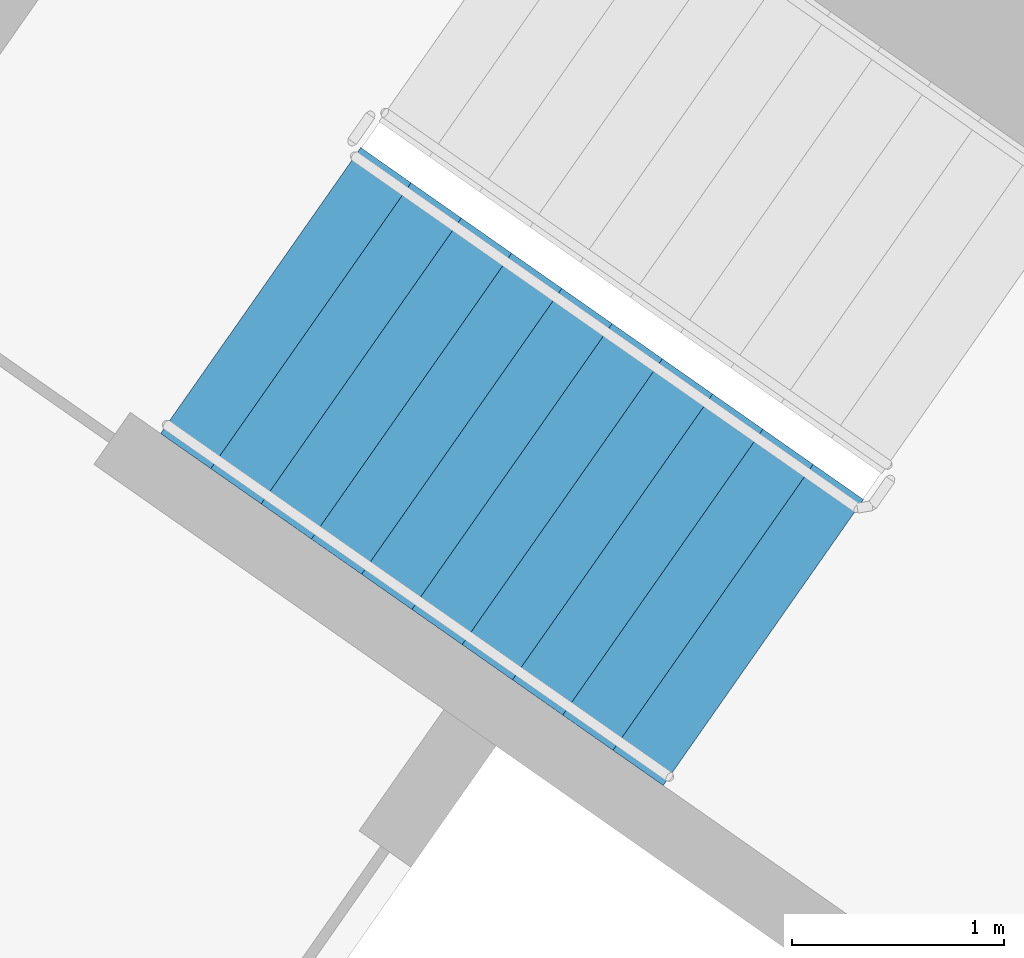
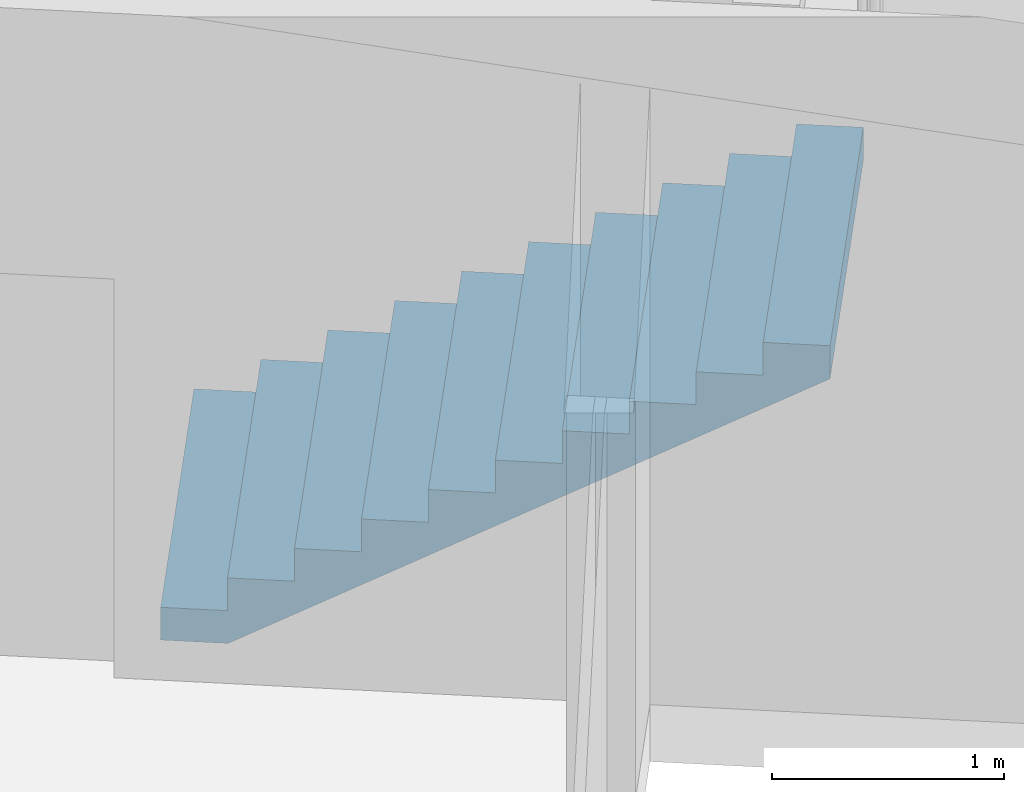
# One storey, part 11 of 26: 1 stair flight, 1 element without a shape of its own.
"""IFC4 building model written with IfcOpenShell, lengths in metres."""

import ifcopenshell
import ifcopenshell.guid

model = None  # the IFC model being written
_history = None  # IfcOwnerHistory: only IFC2X3 demands one
_inside = {}  # id of a spatial element -> (the spatial element, [elements in it])
_under = {}  # id of a project, library or spatial element -> (it, [spatial elements below it])
_declared = {}  # id of a project -> (the project, [libraries it declares])
_typed = {}  # id of a type object -> (the type object, [elements of that type])
_made_of = {}  # id of a material, layer set ... -> (it, [elements and type objects made of it])


def new_model(schema):
    """Start an empty IFC model of exactly this schema.

    Asked for "IFC4X3", IfcOpenShell would pick the latest addendum, in which some entities
    have other attributes; the version numbers below select the first issue.
    IFC2X3 requires an IfcOwnerHistory on every rooted entity: one is made here for all.
    """
    global model, _history
    if schema == "IFC4X3":
        model = ifcopenshell.file(schema_version=(4, 3, 0, 0))
    else:
        model = ifcopenshell.file(schema=schema)
    _inside.clear()
    _under.clear()
    _declared.clear()
    _typed.clear()
    _made_of.clear()
    _history = None
    if model.schema == "IFC2X3":
        org = make("IfcOrganization", Name="unknown")
        user = make(
            "IfcPersonAndOrganization",
            ThePerson=make("IfcPerson", FamilyName="unknown"),
            TheOrganization=org,
        )
        app = make(
            "IfcApplication",
            ApplicationDeveloper=org,
            Version="unknown",
            ApplicationFullName="unknown",
            ApplicationIdentifier="unknown",
        )
        _history = make(
            "IfcOwnerHistory",
            OwningUser=user,
            OwningApplication=app,
            ChangeAction="ADDED",
            CreationDate=0,
        )
    return model


def make(cls, **values):
    """One entity of the class cls with the attributes given. An attribute that is None is left unset."""
    return model.create_entity(
        cls, **{name: value for name, value in values.items() if value is not None}
    )


def rooted(cls, **values):
    """An entity with a GlobalId (a new one), such as an element, a storey or a relation."""
    return make(cls, GlobalId=ifcopenshell.guid.new(), OwnerHistory=_history, **values)


def si_unit(unit_type, name, prefix=None):
    """IfcSIUnit, for example si_unit("LENGTHUNIT", "METRE", prefix="MILLI")."""
    return make("IfcSIUnit", UnitType=unit_type, Prefix=prefix, Name=name)


def assignment(units):
    """IfcUnitAssignment: the units of a project."""
    return None if units is None else make("IfcUnitAssignment", Units=units)


def point(xyz):
    """IfcCartesianPoint."""
    return None if xyz is None else make("IfcCartesianPoint", Coordinates=xyz)


def direction(xyz):
    """IfcDirection."""
    return None if xyz is None else make("IfcDirection", DirectionRatios=xyz)


def frame(location, z_axis=None, x_axis=None):
    """IfcAxis2Placement3D, a coordinate frame: its origin and axes. An axis left out is left unset."""
    return make(
        "IfcAxis2Placement3D",
        Location=point(location),
        Axis=direction(z_axis),
        RefDirection=direction(x_axis),
    )


def origin():
    """The frame at (0, 0, 0) with its axes left unset."""
    return frame((0.0, 0.0, 0.0))


def place(relative_to, where):
    """IfcLocalPlacement: puts the frame where relative to a parent placement (None: the world)."""
    return make(
        "IfcLocalPlacement", PlacementRelTo=relative_to, RelativePlacement=where
    )


def context(
    kind, dimensions, precision=None, world=None, true_north=None, identifier=None
):
    """IfcGeometricRepresentationContext, for example the 3D "Model" context."""
    return make(
        "IfcGeometricRepresentationContext",
        ContextIdentifier=identifier,
        ContextType=kind,
        CoordinateSpaceDimension=dimensions,
        Precision=precision,
        WorldCoordinateSystem=world,
        TrueNorth=true_north,
    )


def subcontext(parent, identifier, kind, view, scale=None):
    """IfcGeometricRepresentationSubContext, for example "Body" below "Model"."""
    return make(
        "IfcGeometricRepresentationSubContext",
        ContextIdentifier=identifier,
        ContextType=kind,
        ParentContext=parent,
        TargetScale=scale,
        TargetView=view,
    )


def project(units=None, contexts=None):
    """IfcProject with its units and contexts."""
    return rooted(
        "IfcProject",
        Name="project",
        RepresentationContexts=contexts,
        UnitsInContext=assignment(units),
    )


def spatial(cls, under=None, at=None, **own):
    """A site, building, storey or space (cls), placed at a placement, below another one or the project."""
    s = rooted(cls, ObjectPlacement=at, **own)
    if under is not None:
        _under.setdefault(under.id(), (under, []))[1].append(s)
    return s


def faces_of(points, faces, orient=None, outer=None):
    """IfcFace entities. A face is a list of loops; a loop is a list of indices into points, from 0.

    orient and outer hold one flag for each loop. By default every Orientation is true, the
    first loop of a face is its IfcFaceOuterBound and the others are IfcFaceBound.
    """
    made = []
    for i, loops in enumerate(faces):
        bounds = []
        for j, loop in enumerate(loops):
            is_outer = j == 0 if outer is None else outer[i][j]
            bounds.append(
                make(
                    "IfcFaceOuterBound" if is_outer else "IfcFaceBound",
                    Bound=make("IfcPolyLoop", Polygon=[points[k] for k in loop]),
                    Orientation=True if orient is None else orient[i][j],
                )
            )
        made.append(make("IfcFace", Bounds=bounds))
    return made


def faceted_brep(points, faces, orient=None, outer=None, voids=None):
    """IfcFacetedBrep: a solid bounded by flat faces; with voids (closed shells), ...WithVoids."""
    shared = [point(p) for p in points]
    hull = make("IfcClosedShell", CfsFaces=faces_of(shared, faces, orient, outer))
    if voids is None:
        return make("IfcFacetedBrep", Outer=hull)
    return make(
        "IfcFacetedBrepWithVoids",
        Outer=hull,
        Voids=[
            make(cls, CfsFaces=faces_of(shared, fs, o, b)) for cls, fs, o, b in voids
        ],
    )


def shape(context_of_items, identifier, shape_type, items):
    """IfcShapeRepresentation: the items that make up one representation, for example the "Body"."""
    return make(
        "IfcShapeRepresentation",
        ContextOfItems=context_of_items,
        RepresentationIdentifier=identifier,
        RepresentationType=shape_type,
        Items=items,
    )


def material(Name=None, Category=None):
    """IfcMaterial."""
    return make("IfcMaterial", Name=Name, Category=Category)


def made_of(thing, what):
    """Note that an element or type object is made of a material, layer set ...; save() writes the relation."""
    if what is not None:
        _made_of.setdefault(what.id(), (what, []))[1].append(thing)
    return thing


def type_object(cls, material=None, **own):
    """A type object (cls), such as IfcWallType, which elements share."""
    return made_of(rooted(cls, **own), material)


def element(
    cls,
    number,
    at=None,
    inside=None,
    cuts=None,
    type_object=None,
    material=None,
    context=None,
    identifier="Body",
    shape_type=None,
    held_by="IfcProductDefinitionShape",
    body=None,
    shapes=None,
    **own,
):
    """One element of the class cls, such as IfcWall. Its Tag is "e" and its number.

    at: its placement. inside: the storey or other place that contains it. cuts: it is an
    opening in that element (IfcRelVoidsElement). A single representation is given by context,
    identifier, shape_type and body (its items); several are given by shapes. held_by: the class
    of the entity that holds the representations. save() writes the other relations.
    """
    e = rooted(cls, Tag="e%d" % number, ObjectPlacement=at, **own)
    if body is not None:
        shapes = [shape(context, identifier, shape_type, body)]
    if shapes is not None:
        e.Representation = make(held_by, Representations=shapes)
    if inside is not None:
        _inside.setdefault(inside.id(), (inside, []))[1].append(e)
    if cuts is not None:
        rooted(
            "IfcRelVoidsElement", RelatingBuildingElement=cuts, RelatedOpeningElement=e
        )
    if type_object is not None:
        _typed.setdefault(type_object.id(), (type_object, []))[1].append(e)
    return made_of(e, material)


def aggregate(whole, parts):
    """IfcRelAggregates: a whole, such as a stair, and the parts it consists of."""
    return rooted("IfcRelAggregates", RelatingObject=whole, RelatedObjects=parts)


def save(model, path):
    """Write the relations noted so far, then the file.

    IfcRelAggregates (storeys below a building ...), IfcRelContainedInSpatialStructure (elements
    in a storey), IfcRelDefinesByType, IfcRelAssociatesMaterial and IfcRelDeclares: one each for
    every whole, place, type object, material and project.
    """
    for whole, parts in _under.values():
        aggregate(whole, parts)
    for where, things in _inside.values():
        rooted(
            "IfcRelContainedInSpatialStructure",
            RelatedElements=things,
            RelatingStructure=where,
        )
    for kind, things in _typed.values():
        rooted("IfcRelDefinesByType", RelatedObjects=things, RelatingType=kind)
    for what, things in _made_of.values():
        rooted("IfcRelAssociatesMaterial", RelatedObjects=things, RelatingMaterial=what)
    for by, libraries in _declared.values():
        rooted("IfcRelDeclares", RelatingContext=by, RelatedDefinitions=libraries)
    model.write(path)


model = new_model("IFC4")

# Units and contexts
model_context = context("Model", 3, precision=1e-05, world=origin(), true_north=direction((0.0, 1.0)))
body_context = subcontext(model_context, "Body", "Model", "MODEL_VIEW")
ifc_project = project(units=[si_unit("LENGTHUNIT", "METRE"), si_unit("AREAUNIT", "SQUARE_METRE"), si_unit("VOLUMEUNIT", "CUBIC_METRE"), si_unit("PLANEANGLEUNIT", "RADIAN"), si_unit("MASSUNIT", "GRAM", prefix="KILO")], contexts=[model_context])

# Site, building, storey
site_placement = place(None, origin())
site = spatial("IfcSite", under=ifc_project, at=site_placement, CompositionType="ELEMENT")
building_placement = place(site_placement, origin())
building = spatial("IfcBuilding", under=site, at=building_placement, Name="Qamariyya Broadcast Tower", CompositionType="ELEMENT")
storey_placement = place(building_placement, frame((0.0, 0.0, 156.89990234375)))
storey = spatial("IfcBuildingStorey", under=building, at=storey_placement, Name="L36", CompositionType="ELEMENT", Elevation=156.89990234375)

# Stair, stair flight
ifc_material = material(Name="Concrete C50/60", Category="concrete")
stair_type = type_object("IfcStairType", Name="Exit stair 22 risers of 173 mm", PredefinedType="HALF_TURN_STAIR", material=ifc_material)
stair_placement = place(storey_placement, origin())
stair = element("IfcStair", 1, at=stair_placement, inside=storey, type_object=stair_type, Name="L36 Stair W2", PredefinedType="HALF_TURN_STAIR")
stair_flight_type = type_object("IfcStairFlightType", Name="Exit stair flight 11 risers of 173 mm", PredefinedType="STRAIGHT", material=ifc_material)
stair_flight_placement = place(storey_placement, frame((-41.59130859375, -49.15966796875, 0.0), z_axis=(0.0, 0.0, 1.0), x_axis=(0.819152044289, -0.573576436351, 0.0)))
stair_flight = element("IfcStairFlight", 2, at=stair_flight_placement, type_object=stair_flight_type, Name="ST-W2 flight 1", NumberOfRisers=11, NumberOfTreads=10, PredefinedType="STRAIGHT", RiserHeight=0.172727273, TreadLength=0.29, context=body_context, shape_type="Brep", body=[
    faceted_brep([(0.0, 0.824951171875, 0.0), (0.0, 0.824951171875, 0.172607421875), (0.2900390625, 0.824951171875, 0.172607421875), (0.2900390625, 0.824951171875, 0.345458984375), (0.580078125, 0.824951171875, 0.345458984375), (0.580078125, 0.824951171875, 0.51806640625), (0.8701171875, 0.824951171875, 0.51806640625), (0.8701171875, 0.824951171875, 0.69091796875), (1.159912109375, 0.824951171875, 0.69091796875), (1.159912109375, 0.824951171875, 0.863525390625), (1.449951171875, 0.824951171875, 0.863525390625), (1.449951171875, 0.824951171875, 1.036376953125), (1.739990234375, 0.824951171875, 1.036376953125), (1.739990234375, 0.824951171875, 1.208984375), (2.030029296875, 0.824951171875, 1.208984375), (2.030029296875, 0.824951171875, 1.3818359375), (2.320068359375, 0.824951171875, 1.3818359375), (2.320068359375, 0.824951171875, 1.554443359375), (2.610107421875, 0.824951171875, 1.554443359375), (2.610107421875, 0.824951171875, 1.727294921875), (2.89990234375, 0.824951171875, 1.727294921875), (2.89990234375, 0.824951171875, 1.552734375), (0.29296875, 0.824951171875, 0.0), (0.29296875, -0.824951171875, 0.0), (2.89990234375, -0.824951171875, 1.552734375), (2.89990234375, -0.824951171875, 1.727294921875), (2.610107421875, -0.824951171875, 1.727294921875), (2.610107421875, -0.824951171875, 1.554443359375), (2.320068359375, -0.824951171875, 1.554443359375), (2.320068359375, -0.824951171875, 1.3818359375), (2.030029296875, -0.824951171875, 1.3818359375), (2.030029296875, -0.824951171875, 1.208984375), (1.739990234375, -0.824951171875, 1.208984375), (1.739990234375, -0.824951171875, 1.036376953125), (1.449951171875, -0.824951171875, 1.036376953125), (1.449951171875, -0.824951171875, 0.863525390625), (1.159912109375, -0.824951171875, 0.863525390625), (1.159912109375, -0.824951171875, 0.69091796875), (0.8701171875, -0.824951171875, 0.69091796875), (0.8701171875, -0.824951171875, 0.51806640625), (0.580078125, -0.824951171875, 0.51806640625), (0.580078125, -0.824951171875, 0.345458984375), (0.2900390625, -0.824951171875, 0.345458984375), (0.2900390625, -0.824951171875, 0.172607421875), (0.0, -0.824951171875, 0.172607421875), (0.0, -0.824951171875, 0.0), (0.0, 0.10009765625, 0.0), (0.0, 0.086669921875, 0.0), (0.0, 0.0732421875, 0.0), (0.0, 0.06005859375, 0.0), (0.0, 0.046630859375, 0.0), (0.0, 0.033447265625, 0.0), (0.0, 0.02001953125, 0.0), (0.0, 0.006591796875, 0.0), (0.0, -0.006591796875, 0.0), (0.0, -0.02001953125, 0.0), (0.0, -0.033447265625, 0.0), (0.0, -0.046630859375, 0.0), (0.0, -0.06005859375, 0.0), (0.0, -0.0732421875, 0.0), (0.0, -0.086669921875, 0.0), (0.0, -0.10009765625, 0.0), (0.0, -0.10009765625, 0.172607421875), (0.0, -0.086669921875, 0.172607421875), (0.0, -0.0732421875, 0.172607421875), (0.0, -0.06005859375, 0.172607421875), (0.0, -0.046630859375, 0.172607421875), (0.0, -0.033447265625, 0.172607421875), (0.0, -0.02001953125, 0.172607421875), (0.0, -0.006591796875, 0.172607421875), (0.0, 0.006591796875, 0.172607421875), (0.0, 0.02001953125, 0.172607421875), (0.0, 0.033447265625, 0.172607421875), (0.0, 0.046630859375, 0.172607421875), (0.0, 0.06005859375, 0.172607421875), (0.0, 0.0732421875, 0.172607421875), (0.0, 0.086669921875, 0.172607421875), (0.0, 0.10009765625, 0.172607421875), (0.2900390625, -0.10009765625, 0.172607421875), (0.2900390625, -0.086669921875, 0.172607421875), (0.2900390625, -0.0732421875, 0.172607421875), (0.2900390625, -0.06005859375, 0.172607421875), (0.2900390625, -0.046630859375, 0.172607421875), (0.2900390625, -0.033447265625, 0.172607421875), (0.2900390625, -0.02001953125, 0.172607421875), (0.2900390625, -0.006591796875, 0.172607421875), (0.2900390625, 0.006591796875, 0.172607421875), (0.2900390625, 0.02001953125, 0.172607421875), (0.2900390625, 0.033447265625, 0.172607421875), (0.2900390625, 0.046630859375, 0.172607421875), (0.2900390625, 0.06005859375, 0.172607421875), (0.2900390625, 0.0732421875, 0.172607421875), (0.2900390625, 0.086669921875, 0.172607421875), (0.2900390625, 0.10009765625, 0.172607421875), (0.2900390625, -0.10009765625, 0.345458984375), (0.2900390625, -0.086669921875, 0.345458984375), (0.2900390625, -0.0732421875, 0.345458984375), (0.2900390625, -0.06005859375, 0.345458984375), (0.2900390625, -0.046630859375, 0.345458984375), (0.2900390625, -0.033447265625, 0.345458984375), (0.2900390625, -0.02001953125, 0.345458984375), (0.2900390625, -0.006591796875, 0.345458984375), (0.2900390625, 0.006591796875, 0.345458984375), (0.2900390625, 0.02001953125, 0.345458984375), (0.2900390625, 0.033447265625, 0.345458984375), (0.2900390625, 0.046630859375, 0.345458984375), (0.2900390625, 0.06005859375, 0.345458984375), (0.2900390625, 0.0732421875, 0.345458984375), (0.2900390625, 0.086669921875, 0.345458984375), (0.2900390625, 0.10009765625, 0.345458984375), (0.580078125, -0.10009765625, 0.345458984375), (0.580078125, -0.086669921875, 0.345458984375), (0.580078125, -0.0732421875, 0.345458984375), (0.580078125, -0.06005859375, 0.345458984375), (0.580078125, -0.046630859375, 0.345458984375), (0.580078125, -0.033447265625, 0.345458984375), (0.580078125, -0.02001953125, 0.345458984375), (0.580078125, -0.006591796875, 0.345458984375), (0.580078125, 0.006591796875, 0.345458984375), (0.580078125, 0.02001953125, 0.345458984375), (0.580078125, 0.033447265625, 0.345458984375), (0.580078125, 0.046630859375, 0.345458984375), (0.580078125, 0.06005859375, 0.345458984375), (0.580078125, 0.0732421875, 0.345458984375), (0.580078125, 0.086669921875, 0.345458984375), (0.580078125, 0.10009765625, 0.345458984375), (0.580078125, -0.10009765625, 0.51806640625), (0.580078125, -0.086669921875, 0.51806640625), (0.580078125, -0.0732421875, 0.51806640625), (0.580078125, -0.06005859375, 0.51806640625), (0.580078125, -0.046630859375, 0.51806640625), (0.580078125, -0.033447265625, 0.51806640625), (0.580078125, -0.02001953125, 0.51806640625), (0.580078125, -0.006591796875, 0.51806640625), (0.580078125, 0.006591796875, 0.51806640625), (0.580078125, 0.02001953125, 0.51806640625), (0.580078125, 0.033447265625, 0.51806640625), (0.580078125, 0.046630859375, 0.51806640625), (0.580078125, 0.06005859375, 0.51806640625), (0.580078125, 0.0732421875, 0.51806640625), (0.580078125, 0.086669921875, 0.51806640625), (0.580078125, 0.10009765625, 0.51806640625), (0.8701171875, -0.10009765625, 0.51806640625), (0.8701171875, -0.086669921875, 0.51806640625), (0.8701171875, -0.0732421875, 0.51806640625), (0.8701171875, -0.06005859375, 0.51806640625), (0.8701171875, -0.046630859375, 0.51806640625), (0.8701171875, -0.033447265625, 0.51806640625), (0.8701171875, -0.02001953125, 0.51806640625), (0.8701171875, -0.006591796875, 0.51806640625), (0.8701171875, 0.006591796875, 0.51806640625), (0.8701171875, 0.02001953125, 0.51806640625), (0.8701171875, 0.033447265625, 0.51806640625), (0.8701171875, 0.046630859375, 0.51806640625), (0.8701171875, 0.06005859375, 0.51806640625), (0.8701171875, 0.0732421875, 0.51806640625), (0.8701171875, 0.086669921875, 0.51806640625), (0.8701171875, 0.10009765625, 0.51806640625), (0.8701171875, -0.10009765625, 0.69091796875), (0.8701171875, -0.086669921875, 0.69091796875), (0.8701171875, -0.0732421875, 0.69091796875), (0.8701171875, -0.06005859375, 0.69091796875), (0.8701171875, -0.046630859375, 0.69091796875), (0.8701171875, -0.033447265625, 0.69091796875), (0.8701171875, -0.02001953125, 0.69091796875), (0.8701171875, -0.006591796875, 0.69091796875), (0.8701171875, 0.006591796875, 0.69091796875), (0.8701171875, 0.02001953125, 0.69091796875), (0.8701171875, 0.033447265625, 0.69091796875), (0.8701171875, 0.046630859375, 0.69091796875), (0.8701171875, 0.06005859375, 0.69091796875), (0.8701171875, 0.0732421875, 0.69091796875), (0.8701171875, 0.086669921875, 0.69091796875), (0.8701171875, 0.10009765625, 0.69091796875), (1.159912109375, -0.10009765625, 0.69091796875), (1.159912109375, -0.086669921875, 0.69091796875), (1.159912109375, -0.0732421875, 0.69091796875), (1.159912109375, -0.06005859375, 0.69091796875), (1.159912109375, -0.046630859375, 0.69091796875), (1.159912109375, -0.033447265625, 0.69091796875), (1.159912109375, -0.02001953125, 0.69091796875), (1.159912109375, -0.006591796875, 0.69091796875), (1.159912109375, 0.006591796875, 0.69091796875), (1.159912109375, 0.02001953125, 0.69091796875), (1.159912109375, 0.033447265625, 0.69091796875), (1.159912109375, 0.046630859375, 0.69091796875), (1.159912109375, 0.06005859375, 0.69091796875), (1.159912109375, 0.0732421875, 0.69091796875), (1.159912109375, 0.086669921875, 0.69091796875), (1.159912109375, 0.10009765625, 0.69091796875), (1.159912109375, -0.10009765625, 0.863525390625), (1.159912109375, -0.086669921875, 0.863525390625), (1.159912109375, -0.0732421875, 0.863525390625), (1.159912109375, -0.06005859375, 0.863525390625), (1.159912109375, -0.046630859375, 0.863525390625), (1.159912109375, -0.033447265625, 0.863525390625), (1.159912109375, -0.02001953125, 0.863525390625), (1.159912109375, -0.006591796875, 0.863525390625), (1.159912109375, 0.006591796875, 0.863525390625), (1.159912109375, 0.02001953125, 0.863525390625), (1.159912109375, 0.033447265625, 0.863525390625), (1.159912109375, 0.046630859375, 0.863525390625), (1.159912109375, 0.06005859375, 0.863525390625), (1.159912109375, 0.0732421875, 0.863525390625), (1.159912109375, 0.086669921875, 0.863525390625), (1.159912109375, 0.10009765625, 0.863525390625), (1.449951171875, -0.10009765625, 0.863525390625), (1.449951171875, -0.086669921875, 0.863525390625), (1.449951171875, -0.0732421875, 0.863525390625), (1.449951171875, -0.06005859375, 0.863525390625), (1.449951171875, -0.046630859375, 0.863525390625), (1.449951171875, -0.033447265625, 0.863525390625), (1.449951171875, -0.02001953125, 0.863525390625), (1.449951171875, -0.006591796875, 0.863525390625), (1.449951171875, 0.006591796875, 0.863525390625), (1.449951171875, 0.02001953125, 0.863525390625), (1.449951171875, 0.033447265625, 0.863525390625), (1.449951171875, 0.046630859375, 0.863525390625), (1.449951171875, 0.06005859375, 0.863525390625), (1.449951171875, 0.0732421875, 0.863525390625), (1.449951171875, 0.086669921875, 0.863525390625), (1.449951171875, 0.10009765625, 0.863525390625), (1.449951171875, -0.10009765625, 1.036376953125), (1.449951171875, -0.086669921875, 1.036376953125), (1.449951171875, -0.0732421875, 1.036376953125), (1.449951171875, -0.06005859375, 1.036376953125), (1.449951171875, -0.046630859375, 1.036376953125), (1.449951171875, -0.033447265625, 1.036376953125), (1.449951171875, -0.02001953125, 1.036376953125), (1.449951171875, -0.006591796875, 1.036376953125), (1.449951171875, 0.006591796875, 1.036376953125), (1.449951171875, 0.02001953125, 1.036376953125), (1.449951171875, 0.033447265625, 1.036376953125), (1.449951171875, 0.046630859375, 1.036376953125), (1.449951171875, 0.06005859375, 1.036376953125), (1.449951171875, 0.0732421875, 1.036376953125), (1.449951171875, 0.086669921875, 1.036376953125), (1.449951171875, 0.10009765625, 1.036376953125), (1.739990234375, -0.10009765625, 1.036376953125), (1.739990234375, -0.086669921875, 1.036376953125), (1.739990234375, -0.0732421875, 1.036376953125), (1.739990234375, -0.06005859375, 1.036376953125), (1.739990234375, -0.046630859375, 1.036376953125), (1.739990234375, -0.033447265625, 1.036376953125), (1.739990234375, -0.02001953125, 1.036376953125), (1.739990234375, -0.006591796875, 1.036376953125), (1.739990234375, 0.006591796875, 1.036376953125), (1.739990234375, 0.02001953125, 1.036376953125), (1.739990234375, 0.033447265625, 1.036376953125), (1.739990234375, 0.046630859375, 1.036376953125), (1.739990234375, 0.06005859375, 1.036376953125), (1.739990234375, 0.0732421875, 1.036376953125), (1.739990234375, 0.086669921875, 1.036376953125), (1.739990234375, 0.10009765625, 1.036376953125), (1.739990234375, -0.10009765625, 1.208984375), (1.739990234375, -0.086669921875, 1.208984375), (1.739990234375, -0.0732421875, 1.208984375), (1.739990234375, -0.06005859375, 1.208984375), (1.739990234375, -0.046630859375, 1.208984375), (1.739990234375, -0.033447265625, 1.208984375), (1.739990234375, -0.02001953125, 1.208984375), (1.739990234375, -0.006591796875, 1.208984375), (1.739990234375, 0.006591796875, 1.208984375), (1.739990234375, 0.02001953125, 1.208984375), (1.739990234375, 0.033447265625, 1.208984375), (1.739990234375, 0.046630859375, 1.208984375), (1.739990234375, 0.06005859375, 1.208984375), (1.739990234375, 0.0732421875, 1.208984375), (1.739990234375, 0.086669921875, 1.208984375), (1.739990234375, 0.10009765625, 1.208984375), (2.030029296875, -0.10009765625, 1.208984375), (2.030029296875, -0.086669921875, 1.208984375), (2.030029296875, -0.0732421875, 1.208984375), (2.030029296875, -0.06005859375, 1.208984375), (2.030029296875, -0.046630859375, 1.208984375), (2.030029296875, -0.033447265625, 1.208984375), (2.030029296875, -0.02001953125, 1.208984375), (2.030029296875, -0.006591796875, 1.208984375), (2.030029296875, 0.006591796875, 1.208984375), (2.030029296875, 0.02001953125, 1.208984375), (2.030029296875, 0.033447265625, 1.208984375), (2.030029296875, 0.046630859375, 1.208984375), (2.030029296875, 0.06005859375, 1.208984375), (2.030029296875, 0.0732421875, 1.208984375), (2.030029296875, 0.086669921875, 1.208984375), (2.030029296875, 0.10009765625, 1.208984375), (2.030029296875, -0.10009765625, 1.3818359375), (2.030029296875, -0.086669921875, 1.3818359375), (2.030029296875, -0.0732421875, 1.3818359375), (2.030029296875, -0.06005859375, 1.3818359375), (2.030029296875, -0.046630859375, 1.3818359375), (2.030029296875, -0.033447265625, 1.3818359375), (2.030029296875, -0.02001953125, 1.3818359375), (2.030029296875, -0.006591796875, 1.3818359375), (2.030029296875, 0.006591796875, 1.3818359375), (2.030029296875, 0.02001953125, 1.3818359375), (2.030029296875, 0.033447265625, 1.3818359375), (2.030029296875, 0.046630859375, 1.3818359375), (2.030029296875, 0.06005859375, 1.3818359375), (2.030029296875, 0.0732421875, 1.3818359375), (2.030029296875, 0.086669921875, 1.3818359375), (2.030029296875, 0.10009765625, 1.3818359375), (2.320068359375, -0.10009765625, 1.3818359375), (2.320068359375, -0.086669921875, 1.3818359375), (2.320068359375, -0.0732421875, 1.3818359375), (2.320068359375, -0.06005859375, 1.3818359375), (2.320068359375, -0.046630859375, 1.3818359375), (2.320068359375, -0.033447265625, 1.3818359375), (2.320068359375, -0.02001953125, 1.3818359375), (2.320068359375, -0.006591796875, 1.3818359375), (2.320068359375, 0.006591796875, 1.3818359375), (2.320068359375, 0.02001953125, 1.3818359375), (2.320068359375, 0.033447265625, 1.3818359375), (2.320068359375, 0.046630859375, 1.3818359375), (2.320068359375, 0.06005859375, 1.3818359375), (2.320068359375, 0.0732421875, 1.3818359375), (2.320068359375, 0.086669921875, 1.3818359375), (2.320068359375, 0.10009765625, 1.3818359375), (2.320068359375, -0.10009765625, 1.554443359375), (2.320068359375, -0.086669921875, 1.554443359375), (2.320068359375, -0.0732421875, 1.554443359375), (2.320068359375, -0.06005859375, 1.554443359375), (2.320068359375, -0.046630859375, 1.554443359375), (2.320068359375, -0.033447265625, 1.554443359375), (2.320068359375, -0.02001953125, 1.554443359375), (2.320068359375, -0.006591796875, 1.554443359375), (2.320068359375, 0.006591796875, 1.554443359375), (2.320068359375, 0.02001953125, 1.554443359375), (2.320068359375, 0.033447265625, 1.554443359375), (2.320068359375, 0.046630859375, 1.554443359375), (2.320068359375, 0.06005859375, 1.554443359375), (2.320068359375, 0.0732421875, 1.554443359375), (2.320068359375, 0.086669921875, 1.554443359375), (2.320068359375, 0.10009765625, 1.554443359375), (2.610107421875, -0.10009765625, 1.554443359375), (2.610107421875, -0.086669921875, 1.554443359375), (2.610107421875, -0.0732421875, 1.554443359375), (2.610107421875, -0.06005859375, 1.554443359375), (2.610107421875, -0.046630859375, 1.554443359375), (2.610107421875, -0.033447265625, 1.554443359375), (2.610107421875, -0.02001953125, 1.554443359375), (2.610107421875, -0.006591796875, 1.554443359375), (2.610107421875, 0.006591796875, 1.554443359375), (2.610107421875, 0.02001953125, 1.554443359375), (2.610107421875, 0.033447265625, 1.554443359375), (2.610107421875, 0.046630859375, 1.554443359375), (2.610107421875, 0.06005859375, 1.554443359375), (2.610107421875, 0.0732421875, 1.554443359375), (2.610107421875, 0.086669921875, 1.554443359375), (2.610107421875, 0.10009765625, 1.554443359375), (2.610107421875, -0.10009765625, 1.727294921875), (2.610107421875, -0.086669921875, 1.727294921875), (2.610107421875, -0.0732421875, 1.727294921875), (2.610107421875, -0.06005859375, 1.727294921875), (2.610107421875, -0.046630859375, 1.727294921875), (2.610107421875, -0.033447265625, 1.727294921875), (2.610107421875, -0.02001953125, 1.727294921875), (2.610107421875, -0.006591796875, 1.727294921875), (2.610107421875, 0.006591796875, 1.727294921875), (2.610107421875, 0.02001953125, 1.727294921875), (2.610107421875, 0.033447265625, 1.727294921875), (2.610107421875, 0.046630859375, 1.727294921875), (2.610107421875, 0.06005859375, 1.727294921875), (2.610107421875, 0.0732421875, 1.727294921875), (2.610107421875, 0.086669921875, 1.727294921875), (2.610107421875, 0.10009765625, 1.727294921875), (2.89990234375, -0.10009765625, 1.727294921875), (2.89990234375, -0.086669921875, 1.727294921875), (2.89990234375, -0.0732421875, 1.727294921875), (2.89990234375, -0.06005859375, 1.727294921875), (2.89990234375, -0.046630859375, 1.727294921875), (2.89990234375, -0.033447265625, 1.727294921875), (2.89990234375, -0.02001953125, 1.727294921875), (2.89990234375, -0.006591796875, 1.727294921875), (2.89990234375, 0.006591796875, 1.727294921875), (2.89990234375, 0.02001953125, 1.727294921875), (2.89990234375, 0.033447265625, 1.727294921875), (2.89990234375, 0.046630859375, 1.727294921875), (2.89990234375, 0.06005859375, 1.727294921875), (2.89990234375, 0.0732421875, 1.727294921875), (2.89990234375, 0.086669921875, 1.727294921875), (2.89990234375, 0.10009765625, 1.727294921875), (2.89990234375, -0.10009765625, 1.552734375), (2.89990234375, -0.086669921875, 1.552734375), (2.89990234375, -0.0732421875, 1.552734375), (2.89990234375, -0.06005859375, 1.552734375), (2.89990234375, -0.046630859375, 1.552734375), (2.89990234375, -0.033447265625, 1.552734375), (2.89990234375, -0.02001953125, 1.552734375), (2.89990234375, -0.006591796875, 1.552734375), (2.89990234375, 0.006591796875, 1.552734375), (2.89990234375, 0.02001953125, 1.552734375), (2.89990234375, 0.033447265625, 1.552734375), (2.89990234375, 0.046630859375, 1.552734375), (2.89990234375, 0.06005859375, 1.552734375), (2.89990234375, 0.0732421875, 1.552734375), (2.89990234375, 0.086669921875, 1.552734375), (2.89990234375, 0.10009765625, 1.552734375), (0.29296875, -0.10009765625, 0.0), (0.29296875, -0.086669921875, 0.0), (0.29296875, -0.0732421875, 0.0), (0.29296875, -0.06005859375, 0.0), (0.29296875, -0.046630859375, 0.0), (0.29296875, -0.033447265625, 0.0), (0.29296875, -0.02001953125, 0.0), (0.29296875, -0.006591796875, 0.0), (0.29296875, 0.006591796875, 0.0), (0.29296875, 0.02001953125, 0.0), (0.29296875, 0.033447265625, 0.0), (0.29296875, 0.046630859375, 0.0), (0.29296875, 0.06005859375, 0.0), (0.29296875, 0.0732421875, 0.0), (0.29296875, 0.086669921875, 0.0), (0.29296875, 0.10009765625, 0.0)], [[[0, 1, 2, 3, 4, 5, 6, 7, 8, 9, 10, 11, 12, 13, 14, 15, 16, 17, 18, 19, 20, 21, 22]], [[23, 24, 25, 26, 27, 28, 29, 30, 31, 32, 33, 34, 35, 36, 37, 38, 39, 40, 41, 42, 43, 44, 45]], [[0, 46, 47, 48, 49, 50, 51, 52, 53, 54, 55, 56, 57, 58, 59, 60, 61, 45, 44, 62, 63, 64, 65, 66, 67, 68, 69, 70, 71, 72, 73, 74, 75, 76, 77, 1]], [[1, 77, 76, 75, 74, 73, 72, 71, 70, 69, 68, 67, 66, 65, 64, 63, 62, 44, 43, 78, 79, 80, 81, 82, 83, 84, 85, 86, 87, 88, 89, 90, 91, 92, 93, 2]], [[2, 93, 92, 91, 90, 89, 88, 87, 86, 85, 84, 83, 82, 81, 80, 79, 78, 43, 42, 94, 95, 96, 97, 98, 99, 100, 101, 102, 103, 104, 105, 106, 107, 108, 109, 3]], [[3, 109, 108, 107, 106, 105, 104, 103, 102, 101, 100, 99, 98, 97, 96, 95, 94, 42, 41, 110, 111, 112, 113, 114, 115, 116, 117, 118, 119, 120, 121, 122, 123, 124, 125, 4]], [[4, 125, 124, 123, 122, 121, 120, 119, 118, 117, 116, 115, 114, 113, 112, 111, 110, 41, 40, 126, 127, 128, 129, 130, 131, 132, 133, 134, 135, 136, 137, 138, 139, 140, 141, 5]], [[5, 141, 140, 139, 138, 137, 136, 135, 134, 133, 132, 131, 130, 129, 128, 127, 126, 40, 39, 142, 143, 144, 145, 146, 147, 148, 149, 150, 151, 152, 153, 154, 155, 156, 157, 6]], [[6, 157, 156, 155, 154, 153, 152, 151, 150, 149, 148, 147, 146, 145, 144, 143, 142, 39, 38, 158, 159, 160, 161, 162, 163, 164, 165, 166, 167, 168, 169, 170, 171, 172, 173, 7]], [[7, 173, 172, 171, 170, 169, 168, 167, 166, 165, 164, 163, 162, 161, 160, 159, 158, 38, 37, 174, 175, 176, 177, 178, 179, 180, 181, 182, 183, 184, 185, 186, 187, 188, 189, 8]], [[8, 189, 188, 187, 186, 185, 184, 183, 182, 181, 180, 179, 178, 177, 176, 175, 174, 37, 36, 190, 191, 192, 193, 194, 195, 196, 197, 198, 199, 200, 201, 202, 203, 204, 205, 9]], [[9, 205, 204, 203, 202, 201, 200, 199, 198, 197, 196, 195, 194, 193, 192, 191, 190, 36, 35, 206, 207, 208, 209, 210, 211, 212, 213, 214, 215, 216, 217, 218, 219, 220, 221, 10]], [[10, 221, 220, 219, 218, 217, 216, 215, 214, 213, 212, 211, 210, 209, 208, 207, 206, 35, 34, 222, 223, 224, 225, 226, 227, 228, 229, 230, 231, 232, 233, 234, 235, 236, 237, 11]], [[11, 237, 236, 235, 234, 233, 232, 231, 230, 229, 228, 227, 226, 225, 224, 223, 222, 34, 33, 238, 239, 240, 241, 242, 243, 244, 245, 246, 247, 248, 249, 250, 251, 252, 253, 12]], [[12, 253, 252, 251, 250, 249, 248, 247, 246, 245, 244, 243, 242, 241, 240, 239, 238, 33, 32, 254, 255, 256, 257, 258, 259, 260, 261, 262, 263, 264, 265, 266, 267, 268, 269, 13]], [[13, 269, 268, 267, 266, 265, 264, 263, 262, 261, 260, 259, 258, 257, 256, 255, 254, 32, 31, 270, 271, 272, 273, 274, 275, 276, 277, 278, 279, 280, 281, 282, 283, 284, 285, 14]], [[14, 285, 284, 283, 282, 281, 280, 279, 278, 277, 276, 275, 274, 273, 272, 271, 270, 31, 30, 286, 287, 288, 289, 290, 291, 292, 293, 294, 295, 296, 297, 298, 299, 300, 301, 15]], [[15, 301, 300, 299, 298, 297, 296, 295, 294, 293, 292, 291, 290, 289, 288, 287, 286, 30, 29, 302, 303, 304, 305, 306, 307, 308, 309, 310, 311, 312, 313, 314, 315, 316, 317, 16]], [[16, 317, 316, 315, 314, 313, 312, 311, 310, 309, 308, 307, 306, 305, 304, 303, 302, 29, 28, 318, 319, 320, 321, 322, 323, 324, 325, 326, 327, 328, 329, 330, 331, 332, 333, 17]], [[17, 333, 332, 331, 330, 329, 328, 327, 326, 325, 324, 323, 322, 321, 320, 319, 318, 28, 27, 334, 335, 336, 337, 338, 339, 340, 341, 342, 343, 344, 345, 346, 347, 348, 349, 18]], [[18, 349, 348, 347, 346, 345, 344, 343, 342, 341, 340, 339, 338, 337, 336, 335, 334, 27, 26, 350, 351, 352, 353, 354, 355, 356, 357, 358, 359, 360, 361, 362, 363, 364, 365, 19]], [[19, 365, 364, 363, 362, 361, 360, 359, 358, 357, 356, 355, 354, 353, 352, 351, 350, 26, 25, 366, 367, 368, 369, 370, 371, 372, 373, 374, 375, 376, 377, 378, 379, 380, 381, 20]], [[20, 381, 380, 379, 378, 377, 376, 375, 374, 373, 372, 371, 370, 369, 368, 367, 366, 25, 24, 382, 383, 384, 385, 386, 387, 388, 389, 390, 391, 392, 393, 394, 395, 396, 397, 21]], [[21, 397, 396, 395, 394, 393, 392, 391, 390, 389, 388, 387, 386, 385, 384, 383, 382, 24, 23, 398, 399, 400, 401, 402, 403, 404, 405, 406, 407, 408, 409, 410, 411, 412, 413, 22]], [[22, 413, 412, 411, 410, 409, 408, 407, 406, 405, 404, 403, 402, 401, 400, 399, 398, 23, 45, 61, 60, 59, 58, 57, 56, 55, 54, 53, 52, 51, 50, 49, 48, 47, 46, 0]]]),
])
aggregate(stair, [stair_flight])

save(model, "model.ifc")
